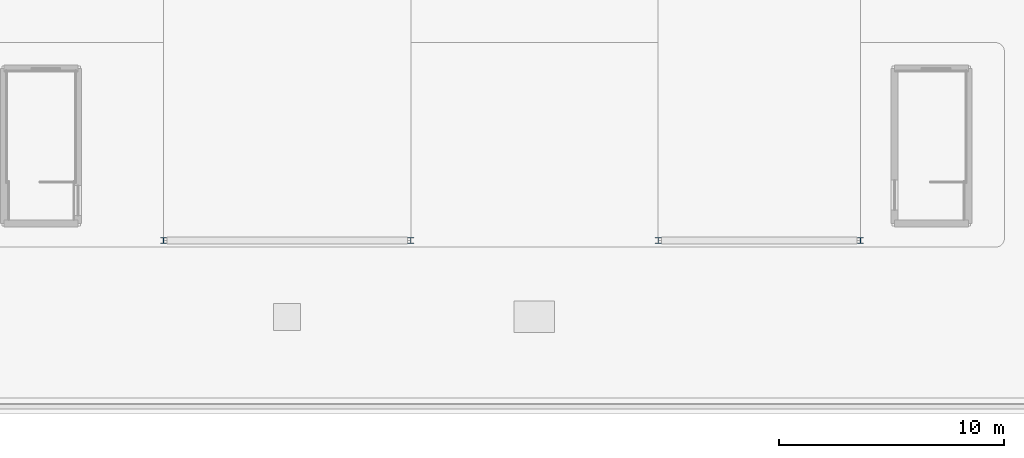
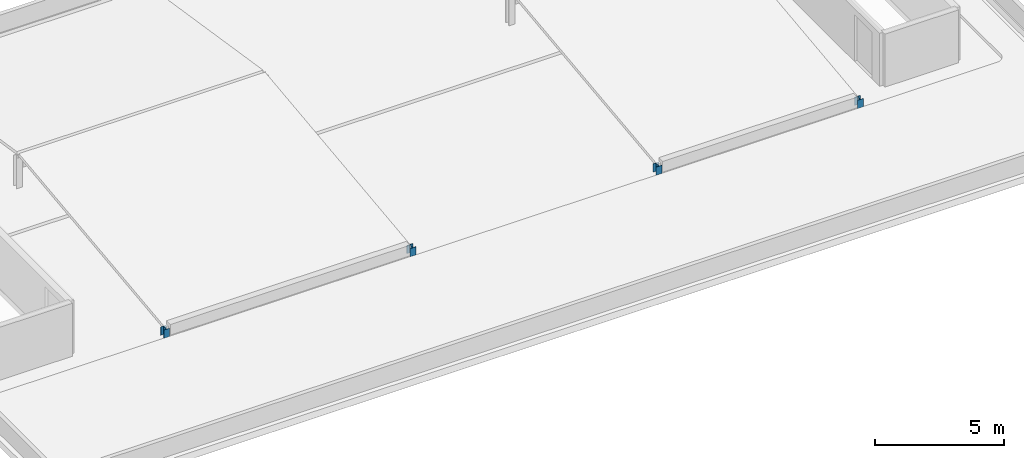
# One storey, part 4 of 79: 4 columns.
"""IFC4 building model written with IfcOpenShell, lengths in metres."""

from ifc_helpers import new_model, si_unit, direction, frame, origin, origin_2d, place, context, subcontext, project, spatial, i_section, extrude, material, material_profile, profile_set, type_object, element, save


model = new_model("IFC4")

# Units and contexts
model_context = context("Model", 3, precision=1e-05, world=origin(), true_north=direction((0.0, 1.0)))
body_context = subcontext(model_context, "Body", "Model", "MODEL_VIEW")
ifc_project = project(units=[si_unit("LENGTHUNIT", "METRE"), si_unit("AREAUNIT", "SQUARE_METRE"), si_unit("VOLUMEUNIT", "CUBIC_METRE"), si_unit("PLANEANGLEUNIT", "RADIAN"), si_unit("MASSUNIT", "GRAM", prefix="KILO")], contexts=[model_context])

# Site, building, storey
site_placement = place(None, origin())
site = spatial("IfcSite", under=ifc_project, at=site_placement, CompositionType="ELEMENT")
building_placement = place(site_placement, origin())
building = spatial("IfcBuilding", under=site, at=building_placement, Name="Keldmere Railside Commons", CompositionType="ELEMENT")
storey_placement = place(building_placement, frame((0.0, 0.0, 10.56005859375)))
storey = spatial("IfcBuildingStorey", under=building, at=storey_placement, Name="L03", CompositionType="ELEMENT", Elevation=10.56005859375)

# Columns
ifc_material = material(Name="Steel F-36 (S355)", Category="steel")
ifc_material_profile = material_profile(ifc_material, i_section(OverallWidth=0.260009765625, OverallDepth=0.260009765625, WebThickness=0.010009765625, FlangeThickness=0.017578125, at=origin_2d()), Name="HEB-260")
ifc_profile_set = profile_set([ifc_material_profile], Name="Steel F-36 (S355)")
column_type = type_object("IfcColumnType", Name="Pavilion Clerestory Steel Post HEB260", PredefinedType="COLUMN", material=ifc_profile_set)
for number, where, z_axis, x_axis, name in (
    (1, (137.0, 19.39990234375, 0.0), (0.0, 0.0, 1.0), (1.0, 0.0, 0.0), "SC-3 COL-L03-1332"),
    (2, (148.0, 19.39990234375, 0.0), (0.0, 0.0, 1.0), (1.0, 0.0, 0.0), "SC-3 COL-L03-1406"),
    (3, (159.0, 19.39990234375, 0.0), (0.0, 0.0, 1.0), (1.0, 0.0, 0.0), "SC-3 COL-L03-1462"),
    (4, (168.0, 19.39990234375, 0.0), (0.0, 0.0, 1.0), (1.0, 0.0, 0.0), "SC-3 COL-L03-1529"),
):
    element("IfcColumn", number, at=place(storey_placement, frame(where, z_axis=z_axis, x_axis=x_axis)), inside=storey, type_object=column_type, Name=name, PredefinedType="COLUMN", context=body_context, shape_type="SweptSolid", body=[
        extrude(i_section(OverallWidth=0.260009765625, OverallDepth=0.260009765625, WebThickness=0.010009765625, FlangeThickness=0.017578125, at=origin_2d()), origin(), (0.0, 0.0, 1.0), 0.389892578125),
    ])

save(model, "model.ifc")
